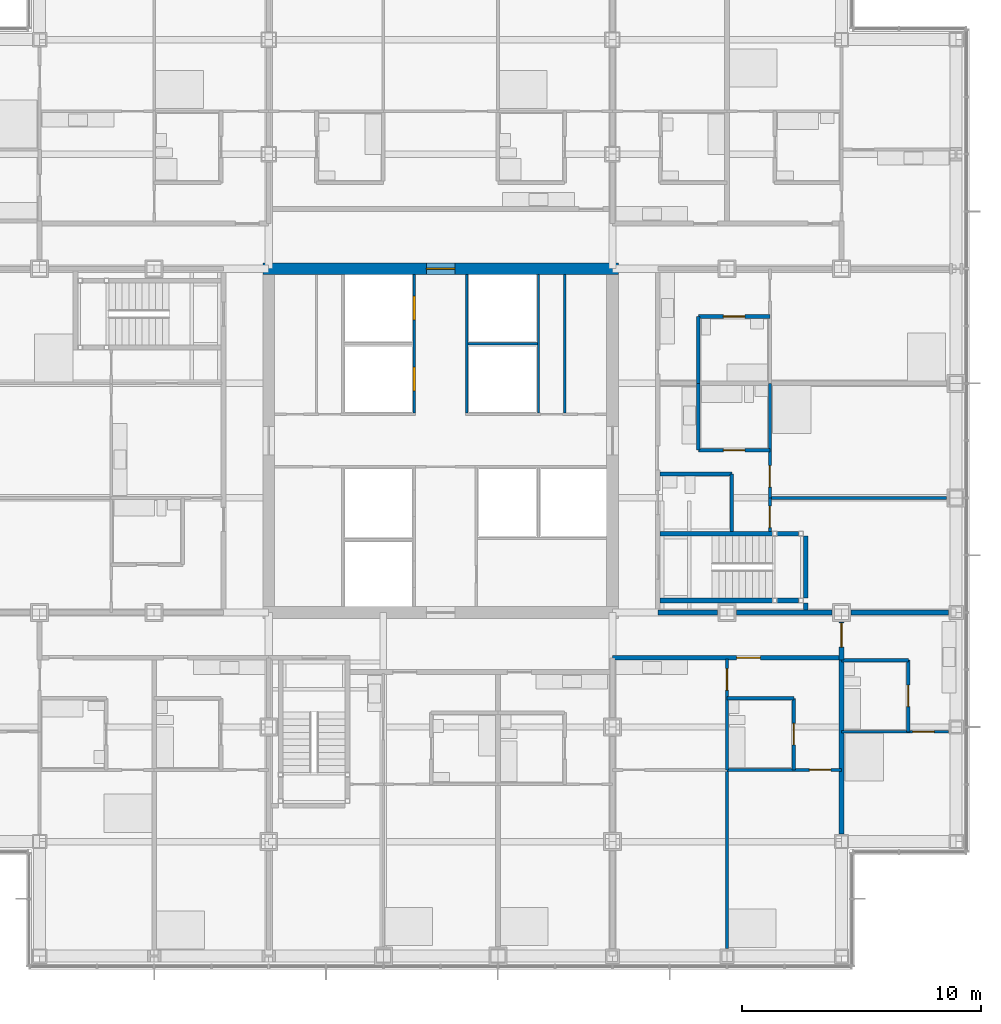
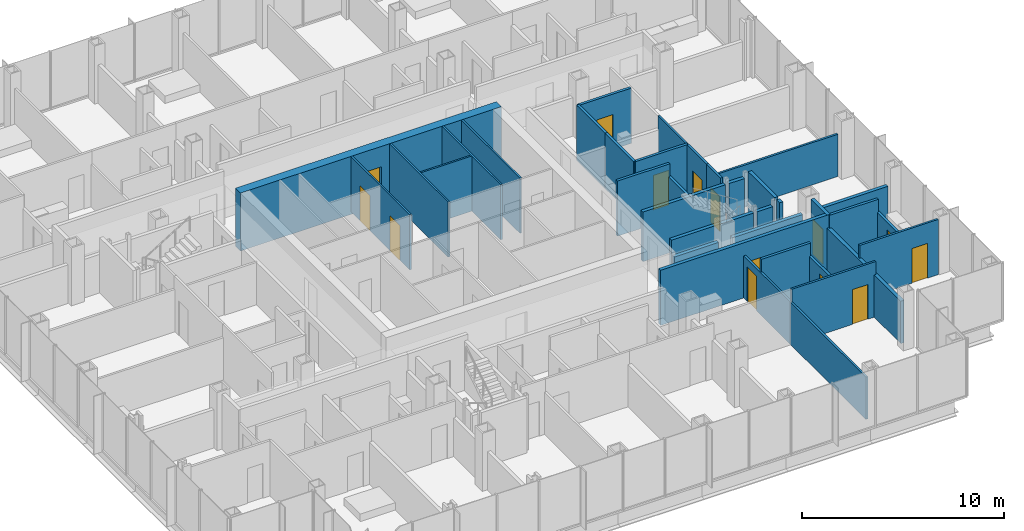
# One storey, part 16 of 21: 35 walls, 14 doors, 14 openings.
"""IFC4 building model written with IfcOpenShell, lengths in metres."""

from ifc_helpers import new_model, si_unit, direction, frame, frame_2d, origin, place, context, subcontext, project, spatial, rectangle, extrude, material, layer, layer_set, type_object, element, fill, save


model = new_model("IFC4")

# Units and contexts
model_context = context("Model", 3, precision=1e-05, world=origin(), true_north=direction((0.0, 1.0)))
body_context = subcontext(model_context, "Body", "Model", "MODEL_VIEW")
ifc_project = project(units=[si_unit("LENGTHUNIT", "METRE"), si_unit("AREAUNIT", "SQUARE_METRE"), si_unit("VOLUMEUNIT", "CUBIC_METRE"), si_unit("PLANEANGLEUNIT", "RADIAN"), si_unit("MASSUNIT", "GRAM", prefix="KILO")], contexts=[model_context])

# Site, building, storey
site_placement = place(None, origin())
site = spatial("IfcSite", under=ifc_project, at=site_placement, CompositionType="ELEMENT")
building_placement = place(site_placement, origin())
building = spatial("IfcBuilding", under=site, at=building_placement, Name="Kvirike Care Tower", CompositionType="ELEMENT")
storey_placement = place(building_placement, frame((0.0, 0.0, 44.5)))
storey = spatial("IfcBuildingStorey", under=building, at=storey_placement, Name="L11", CompositionType="ELEMENT", Elevation=44.5)

# Wall, opening, door
ifc_material_1 = material(Name="Moisture-resistant board partition", Category="gypsum")
ifc_layer_1 = layer(ifc_material_1, 0.14990234375)
ifc_layer_set_1 = layer_set([ifc_layer_1], Name="BATHROOM WALL 150")
wall_type_1 = type_object("IfcWallType", Name="BATHROOM WALL 150", PredefinedType="PARTITIONING", material=ifc_layer_set_1)
wall_1_placement = place(storey_placement, frame((36.39990234375, 22.199951171875, 0.0), z_axis=(0.0, 0.0, 1.0), x_axis=(0.0, 1.0, 0.0)))
wall_1 = element("IfcWall", 1, at=wall_1_placement, inside=storey, type_object=wall_type_1, Name="Bathroom Wall 150 L11", PredefinedType="PARTITIONING", context=body_context, shape_type="SweptSolid", body=[
    extrude(rectangle(XDim=3.0, YDim=0.14990234375, at=frame_2d((1.5, 0.0))), origin(), (0.0, 0.0, 1.0), 2.550048828125),
])
opening_1_placement = place(wall_1_placement, frame((1.050048828125, 0.0, 0.0)))
opening_1 = element("IfcOpeningElement", 2, at=opening_1_placement, cuts=wall_1, Name="Opening 11-039", PredefinedType="OPENING", context=body_context, shape_type="SweptSolid", body=[
    extrude(rectangle(XDim=0.89990234375, YDim=2.10009765625, at=frame_2d((0.449951171875, 1.050048828125))), frame((0.0, 0.08544921875, 0.0), z_axis=(0.0, -1.0, 0.0), x_axis=(1.0, 0.0, 0.0)), (0.0, 0.0, 1.0), 0.1708984375),
])
ifc_material_2 = material(Name="Timber door set", Category="wood")
door_type_1 = type_object("IfcDoorType", Name="BATHROOM DOOR 900", OperationType="SINGLE_SWING_RIGHT", PredefinedType="DOOR", material=ifc_material_2)
door_1_placement = place(opening_1_placement, origin())
door_1 = element("IfcDoor", 3, at=door_1_placement, inside=storey, type_object=door_type_1, Name="Bathroom door", OperationType="SINGLE_SWING_RIGHT", OverallHeight=2.10009765625, OverallWidth=0.89990234375, PredefinedType="DOOR", context=body_context, shape_type="SweptSolid", body=[
    extrude(rectangle(XDim=0.89990234375, YDim=2.10009765625, at=frame_2d((0.449951171875, 1.050048828125))), frame((0.0, 0.02197265625, 0.0), z_axis=(0.0, -1.0, 0.0), x_axis=(1.0, 0.0, 0.0)), (0.0, 0.0, 1.0), 0.0439453125),
])
fill(opening_1, door_1)

# Wall
wall_2_placement = place(storey_placement, frame((33.60009765625, 25.199951171875, 0.0), z_axis=(0.0, 0.0, 1.0), x_axis=(1.0, 0.0, 0.0)))
element("IfcWall", 4, at=wall_2_placement, inside=storey, type_object=wall_type_1, Name="Bathroom Wall 150 L11", PredefinedType="PARTITIONING", context=body_context, shape_type="SweptSolid", body=[
    extrude(rectangle(XDim=2.7998046875, YDim=0.14990234375, at=frame_2d((1.39990234375, 0.0))), origin(), (0.0, 0.0, 1.0), 3.330078125),
])

# Wall, opening, door
wall_3_placement = place(storey_placement, frame((41.199951171875, 23.800048828125, 0.0), z_axis=(0.0, 0.0, 1.0), x_axis=(0.0, 1.0, 0.0)))
wall_3 = element("IfcWall", 5, at=wall_3_placement, inside=storey, type_object=wall_type_1, Name="Bathroom Wall 150 L11", PredefinedType="PARTITIONING", context=body_context, shape_type="SweptSolid", body=[
    extrude(rectangle(XDim=3.0, YDim=0.14990234375, at=frame_2d((1.5, 0.0))), origin(), (0.0, 0.0, 1.0), 2.550048828125),
])
opening_2_placement = place(wall_3_placement, frame((1.050048828125, 0.0, 0.0)))
opening_2 = element("IfcOpeningElement", 6, at=opening_2_placement, cuts=wall_3, Name="Opening 11-043", PredefinedType="OPENING", context=body_context, shape_type="SweptSolid", body=[
    extrude(rectangle(XDim=0.89990234375, YDim=2.10009765625, at=frame_2d((0.449951171875, 1.050048828125))), frame((0.0, 0.08544921875, 0.0), z_axis=(0.0, -1.0, 0.0), x_axis=(1.0, 0.0, 0.0)), (0.0, 0.0, 1.0), 0.1708984375),
])
door_2_placement = place(opening_2_placement, origin())
door_2 = element("IfcDoor", 7, at=door_2_placement, inside=storey, type_object=door_type_1, Name="Bathroom door", OperationType="SINGLE_SWING_RIGHT", OverallHeight=2.10009765625, OverallWidth=0.89990234375, PredefinedType="DOOR", context=body_context, shape_type="SweptSolid", body=[
    extrude(rectangle(XDim=0.89990234375, YDim=2.10009765625, at=frame_2d((0.449951171875, 1.050048828125))), frame((0.0, 0.02197265625, 0.0), z_axis=(0.0, -1.0, 0.0), x_axis=(1.0, 0.0, 0.0)), (0.0, 0.0, 1.0), 0.0439453125),
])
fill(opening_2, door_2)

# Walls
wall_4_placement = place(storey_placement, frame((38.39990234375, 26.800048828125, 0.0), z_axis=(0.0, 0.0, 1.0), x_axis=(1.0, 0.0, 0.0)))
element("IfcWall", 8, at=wall_4_placement, inside=storey, type_object=wall_type_1, Name="Bathroom Wall 150 L11", PredefinedType="PARTITIONING", context=body_context, shape_type="SweptSolid", body=[
    extrude(rectangle(XDim=2.800048828125, YDim=0.14990234375, at=frame_2d((1.39990234375, 0.0))), origin(), (0.0, 0.0, 1.0), 3.330078125),
])
wall_5_placement = place(storey_placement, frame((33.800048828125, 32.199951171875, 0.0), z_axis=(0.0, 0.0, 1.0), x_axis=(0.0, 1.0, 0.0)))
element("IfcWall", 9, at=wall_5_placement, inside=storey, type_object=wall_type_1, Name="Bathroom Wall 150 L11", PredefinedType="PARTITIONING", context=body_context, shape_type="SweptSolid", body=[
    extrude(rectangle(XDim=2.400146484375, YDim=0.14990234375, at=frame_2d((1.2001953125, 0.0))), origin(), (0.0, 0.0, 1.0), 2.550048828125),
])
wall_6_placement = place(storey_placement, frame((33.800048828125, 34.60009765625, 0.0), z_axis=(0.0, 0.0, 1.0), x_axis=(-1.0, 0.0, 0.0)))
element("IfcWall", 10, at=wall_6_placement, inside=storey, type_object=wall_type_1, Name="Bathroom Wall 150 L11", PredefinedType="PARTITIONING", context=body_context, shape_type="SweptSolid", body=[
    extrude(rectangle(XDim=3.0, YDim=0.14990234375, at=frame_2d((1.5, 0.0))), origin(), (0.0, 0.0, 1.0), 3.330078125),
])

# Wall, opening, door
wall_7_placement = place(storey_placement, frame((35.39990234375, 35.60009765625, 0.0), z_axis=(0.0, 0.0, 1.0), x_axis=(-1.0, 0.0, 0.0)))
wall_7 = element("IfcWall", 11, at=wall_7_placement, inside=storey, type_object=wall_type_1, Name="Bathroom Wall 150 L11", PredefinedType="PARTITIONING", context=body_context, shape_type="SweptSolid", body=[
    extrude(rectangle(XDim=3.0, YDim=0.14990234375, at=frame_2d((1.5, 0.0))), origin(), (0.0, 0.0, 1.0), 3.330078125),
])
opening_3_placement = place(wall_7_placement, frame((1.050048828125, 0.0, 0.0)))
opening_3 = element("IfcOpeningElement", 12, at=opening_3_placement, cuts=wall_7, Name="Opening 11-047", PredefinedType="OPENING", context=body_context, shape_type="SweptSolid", body=[
    extrude(rectangle(XDim=0.89990234375, YDim=2.10009765625, at=frame_2d((0.449951171875, 1.050048828125))), frame((0.0, 0.08544921875, 0.0), z_axis=(0.0, -1.0, 0.0), x_axis=(1.0, 0.0, 0.0)), (0.0, 0.0, 1.0), 0.1708984375),
])
door_3_placement = place(opening_3_placement, frame((0.89990234375, 0.0, 0.0), z_axis=(0.0, 0.0, 1.0), x_axis=(-1.0, 0.0, 0.0)))
door_3 = element("IfcDoor", 13, at=door_3_placement, inside=storey, type_object=door_type_1, Name="Bathroom door", OperationType="SINGLE_SWING_LEFT", OverallHeight=2.10009765625, OverallWidth=0.89990234375, PredefinedType="DOOR", context=body_context, shape_type="SweptSolid", body=[
    extrude(rectangle(XDim=0.89990234375, YDim=2.10009765625, at=frame_2d((0.449951171875, 1.050048828125))), frame((0.0, 0.02197265625, 0.0), z_axis=(0.0, -1.0, 0.0), x_axis=(1.0, 0.0, 0.0)), (0.0, 0.0, 1.0), 0.0439453125),
])
fill(opening_3, door_3)

# Wall
wall_8_placement = place(storey_placement, frame((32.39990234375, 35.60009765625, 0.0), z_axis=(0.0, 0.0, 1.0), x_axis=(0.0, 1.0, 0.0)))
element("IfcWall", 14, at=wall_8_placement, inside=storey, type_object=wall_type_1, Name="Bathroom Wall 150 L11", PredefinedType="PARTITIONING", context=body_context, shape_type="SweptSolid", body=[
    extrude(rectangle(XDim=2.7998046875, YDim=0.14990234375, at=frame_2d((1.39990234375, 0.0))), origin(), (0.0, 0.0, 1.0), 3.330078125),
])

# Wall, opening, door
wall_9_placement = place(storey_placement, frame((35.39990234375, 41.199951171875, 0.0), z_axis=(0.0, 0.0, 1.0), x_axis=(-1.0, 0.0, 0.0)))
wall_9 = element("IfcWall", 15, at=wall_9_placement, inside=storey, type_object=wall_type_1, Name="Bathroom Wall 150 L11", PredefinedType="PARTITIONING", context=body_context, shape_type="SweptSolid", body=[
    extrude(rectangle(XDim=3.0, YDim=0.14990234375, at=frame_2d((1.5, 0.0))), origin(), (0.0, 0.0, 1.0), 3.330078125),
])
opening_4_placement = place(wall_9_placement, frame((1.050048828125, 0.0, 0.0)))
opening_4 = element("IfcOpeningElement", 16, at=opening_4_placement, cuts=wall_9, Name="Opening 11-050", PredefinedType="OPENING", context=body_context, shape_type="SweptSolid", body=[
    extrude(rectangle(XDim=0.89990234375, YDim=2.10009765625, at=frame_2d((0.449951171875, 1.050048828125))), frame((0.0, 0.08544921875, 0.0), z_axis=(0.0, -1.0, 0.0), x_axis=(1.0, 0.0, 0.0)), (0.0, 0.0, 1.0), 0.1708984375),
])
door_4_placement = place(opening_4_placement, origin())
door_4 = element("IfcDoor", 17, at=door_4_placement, inside=storey, type_object=door_type_1, Name="Bathroom door", OperationType="SINGLE_SWING_RIGHT", OverallHeight=2.10009765625, OverallWidth=0.89990234375, PredefinedType="DOOR", context=body_context, shape_type="SweptSolid", body=[
    extrude(rectangle(XDim=0.89990234375, YDim=2.10009765625, at=frame_2d((0.449951171875, 1.050048828125))), frame((0.0, 0.02197265625, 0.0), z_axis=(0.0, -1.0, 0.0), x_axis=(1.0, 0.0, 0.0)), (0.0, 0.0, 1.0), 0.0439453125),
])
fill(opening_4, door_4)

# Wall
wall_10_placement = place(storey_placement, frame((32.39990234375, 38.39990234375, 0.0), z_axis=(0.0, 0.0, 1.0), x_axis=(0.0, 1.0, 0.0)))
element("IfcWall", 18, at=wall_10_placement, inside=storey, type_object=wall_type_1, Name="Bathroom Wall 150 L11", PredefinedType="PARTITIONING", context=body_context, shape_type="SweptSolid", body=[
    extrude(rectangle(XDim=2.800048828125, YDim=0.14990234375, at=frame_2d((1.39990234375, 0.0))), origin(), (0.0, 0.0, 1.0), 3.330078125),
])

# Wall, opening, door
ifc_material_3 = material(Name="Concrete C60/75", Category="concrete")
ifc_layer_2 = layer(ifc_material_3, 0.5)
ifc_layer_set_2 = layer_set([ifc_layer_2], Name="CORE WALL 500 C60-75")
wall_type_2 = type_object("IfcWallType", Name="CORE WALL 500 C60-75", PredefinedType="SHEAR", material=ifc_layer_set_2)
wall_11_placement = place(storey_placement, frame((29.050048828125, 43.199951171875, -0.169921875), z_axis=(0.0, 0.0, 1.0), x_axis=(-1.0, 0.0, 0.0)))
wall_11 = element("IfcWall", 19, at=wall_11_placement, inside=storey, type_object=wall_type_2, Name="Core wall N L11", PredefinedType="SHEAR", context=body_context, shape_type="SweptSolid", body=[
    extrude(rectangle(XDim=14.900146484375, YDim=0.5, at=frame_2d((7.4501953125, 0.0))), origin(), (0.0, 0.0, 1.0), 3.5),
])
opening_5_placement = place(wall_11_placement, frame((6.85009765625, 0.0, 0.169921875)))
opening_5 = element("IfcOpeningElement", 20, at=opening_5_placement, cuts=wall_11, Name="Opening 11-078", PredefinedType="OPENING", context=body_context, shape_type="SweptSolid", body=[
    extrude(rectangle(XDim=1.199951171875, YDim=2.10009765625, at=frame_2d((0.60009765625, 1.050048828125))), frame((0.0, 0.260498046875, 0.0), z_axis=(0.0, -1.0, 0.0), x_axis=(1.0, 0.0, 0.0)), (0.0, 0.0, 1.0), 0.52099609375),
])
ifc_material_4 = material(Name="Timber door set", Category="wood")
door_type_2 = type_object("IfcDoorType", Name="CORE DOOR 1200", OperationType="SINGLE_SWING_LEFT", PredefinedType="DOOR", material=ifc_material_4)
door_5_placement = place(opening_5_placement, origin())
door_5 = element("IfcDoor", 21, at=door_5_placement, inside=storey, type_object=door_type_2, Name="Core door N L11", OperationType="SINGLE_SWING_LEFT", OverallHeight=2.10009765625, OverallWidth=1.199951171875, PredefinedType="DOOR", context=body_context, shape_type="SweptSolid", body=[
    extrude(rectangle(XDim=1.199951171875, YDim=2.10009765625, at=frame_2d((0.60009765625, 1.050048828125))), frame((0.0, 0.02685546875, 0.0), z_axis=(0.0, -1.0, 0.0), x_axis=(1.0, 0.0, 0.0)), (0.0, 0.0, 1.0), 0.053955078125),
])
fill(opening_5, door_5)

ifc_material_5 = material(Name="Plasterboard corridor wall", Category="gypsum")
ifc_layer_3 = layer(ifc_material_5, 0.199951171875)
ifc_layer_set_3 = layer_set([ifc_layer_3], Name="CORRIDOR WALL 200")
wall_type_3 = type_object("IfcWallType", Name="CORRIDOR WALL 200", PredefinedType="PARTITIONING", material=ifc_layer_set_3)
wall_12_placement = place(storey_placement, frame((28.800048828125, 26.89990234375, 0.0), z_axis=(0.0, 0.0, 1.0), x_axis=(1.0, 0.0, 0.0)))
wall_12 = element("IfcWall", 22, at=wall_12_placement, inside=storey, type_object=wall_type_3, Name="Corridor Wall 200 L11", PredefinedType="PARTITIONING", context=body_context, shape_type="SweptSolid", body=[
    extrude(rectangle(XDim=9.599853515625, YDim=0.199951171875, at=frame_2d((4.7998046875, 0.0))), origin(), (0.0, 0.0, 1.0), 3.330078125),
])
opening_6_placement = place(wall_12_placement, frame((5.199951171875, 0.0, 0.0)))
opening_6 = element("IfcOpeningElement", 23, at=opening_6_placement, cuts=wall_12, Name="Opening 11-045", PredefinedType="OPENING", context=body_context, shape_type="SweptSolid", body=[
    extrude(rectangle(XDim=1.0, YDim=2.10009765625, at=frame_2d((0.5, 1.050048828125))), frame((0.0, 0.110595703125, 0.0), z_axis=(0.0, -1.0, 0.0), x_axis=(1.0, 0.0, 0.0)), (0.0, 0.0, 1.0), 0.220947265625),
])
ifc_material_6 = material(Name="Timber door set", Category="wood")
door_type_3 = type_object("IfcDoorType", Name="FLAT ENTRANCE DOOR 1000", OperationType="SINGLE_SWING_LEFT", PredefinedType="DOOR", material=ifc_material_6)
door_6_placement = place(opening_6_placement, frame((1.0, 0.0, 0.0), z_axis=(0.0, 0.0, 1.0), x_axis=(-1.0, 0.0, 0.0)))
door_6 = element("IfcDoor", 24, at=door_6_placement, inside=storey, type_object=door_type_3, Name="One-bedroom apartment entrance", OperationType="SINGLE_SWING_LEFT", OverallHeight=2.10009765625, OverallWidth=1.0, PredefinedType="DOOR", context=body_context, shape_type="SweptSolid", body=[
    extrude(rectangle(XDim=1.0, YDim=2.10009765625, at=frame_2d((0.5, 1.050048828125))), frame((0.0, 0.02685546875, 0.0), z_axis=(0.0, -1.0, 0.0), x_axis=(1.0, 0.0, 0.0)), (0.0, 0.0, 1.0), 0.053955078125),
])
fill(opening_6, door_6)

wall_13_placement = place(storey_placement, frame((38.39990234375, 26.800048828125, 0.0), z_axis=(0.0, 0.0, 1.0), x_axis=(0.0, 1.0, 0.0)))
wall_13 = element("IfcWall", 25, at=wall_13_placement, inside=storey, type_object=wall_type_3, Name="Corridor Wall 200 L11", PredefinedType="PARTITIONING", context=body_context, shape_type="SweptSolid", body=[
    extrude(rectangle(XDim=1.60498046875, YDim=0.199951171875, at=frame_2d((0.802490234375, 0.0))), origin(), (0.0, 0.0, 1.0), 3.330078125),
])
opening_7_placement = place(wall_13_placement, frame((0.550048828125, 0.0, 0.0)))
opening_7 = element("IfcOpeningElement", 26, at=opening_7_placement, cuts=wall_13, Name="Opening 11-046", PredefinedType="OPENING", context=body_context, shape_type="SweptSolid", body=[
    extrude(rectangle(XDim=1.0, YDim=2.10009765625, at=frame_2d((0.5, 1.050048828125))), frame((0.0, 0.110595703125, 0.0), z_axis=(0.0, -1.0, 0.0), x_axis=(1.0, 0.0, 0.0)), (0.0, 0.0, 1.0), 0.220947265625),
])
door_7_placement = place(opening_7_placement, frame((1.0, 0.0, 0.0), z_axis=(0.0, 0.0, 1.0), x_axis=(-1.0, 0.0, 0.0)))
door_7 = element("IfcDoor", 27, at=door_7_placement, inside=storey, type_object=door_type_3, Name="Studio apartment entrance", OperationType="SINGLE_SWING_RIGHT", OverallHeight=2.10009765625, OverallWidth=1.0, PredefinedType="DOOR", context=body_context, shape_type="SweptSolid", body=[
    extrude(rectangle(XDim=1.0, YDim=2.10009765625, at=frame_2d((0.5, 1.050048828125))), frame((0.0, 0.02685546875, 0.0), z_axis=(0.0, -1.0, 0.0), x_axis=(1.0, 0.0, 0.0)), (0.0, 0.0, 1.0), 0.053955078125),
])
fill(opening_7, door_7)

ifc_material_7 = material(Name="Plasterboard partition", Category="gypsum")
ifc_layer_4 = layer(ifc_material_7, 0.1201171875)
ifc_layer_set_4 = layer_set([ifc_layer_4], Name="PARTITION 120")
wall_type_4 = type_object("IfcWallType", Name="PARTITION 120", PredefinedType="PARTITIONING", material=ifc_layer_set_4)
wall_14_placement = place(storey_placement, frame((33.60009765625, 22.199951171875, 0.0), z_axis=(0.0, 0.0, 1.0), x_axis=(0.0, 1.0, 0.0)))
wall_14 = element("IfcWall", 28, at=wall_14_placement, inside=storey, type_object=wall_type_4, Name="Partition 120 L11", PredefinedType="PARTITIONING", context=body_context, shape_type="SweptSolid", body=[
    extrude(rectangle(XDim=4.650146484375, YDim=0.1201171875, at=frame_2d((2.3251953125, 0.0))), origin(), (0.0, 0.0, 1.0), 2.550048828125),
])
opening_8_placement = place(wall_14_placement, frame((3.35009765625, 0.0, 0.0)))
opening_8 = element("IfcOpeningElement", 29, at=opening_8_placement, cuts=wall_14, Name="Opening 11-040", PredefinedType="OPENING", context=body_context, shape_type="SweptSolid", body=[
    extrude(rectangle(XDim=0.89990234375, YDim=2.10009765625, at=frame_2d((0.449951171875, 1.050048828125))), frame((0.0, 0.070556640625, 0.0), z_axis=(0.0, -1.0, 0.0), x_axis=(1.0, 0.0, 0.0)), (0.0, 0.0, 1.0), 0.14111328125),
])
ifc_material_8 = material(Name="Timber door set", Category="wood")
door_type_4 = type_object("IfcDoorType", Name="INTERNAL DOOR 900", OperationType="SINGLE_SWING_LEFT", PredefinedType="DOOR", material=ifc_material_8)
door_8_placement = place(opening_8_placement, origin())
door_8 = element("IfcDoor", 30, at=door_8_placement, inside=storey, type_object=door_type_4, Name="Hall door", OperationType="SINGLE_SWING_LEFT", OverallHeight=2.10009765625, OverallWidth=0.89990234375, PredefinedType="DOOR", context=body_context, shape_type="SweptSolid", body=[
    extrude(rectangle(XDim=0.89990234375, YDim=2.10009765625, at=frame_2d((0.449951171875, 1.050048828125))), frame((0.0, 0.02197265625, 0.0), z_axis=(0.0, -1.0, 0.0), x_axis=(1.0, 0.0, 0.0)), (0.0, 0.0, 1.0), 0.0439453125),
])
fill(opening_8, door_8)

wall_15_placement = place(storey_placement, frame((33.60009765625, 22.199951171875, 0.0), z_axis=(0.0, 0.0, 1.0), x_axis=(1.0, 0.0, 0.0)))
wall_15 = element("IfcWall", 31, at=wall_15_placement, inside=storey, type_object=wall_type_4, Name="Partition 120 L11", PredefinedType="PARTITIONING", context=body_context, shape_type="SweptSolid", body=[
    extrude(rectangle(XDim=4.7998046875, YDim=0.1201171875, at=frame_2d((2.39990234375, 0.0))), origin(), (0.0, 0.0, 1.0), 3.330078125),
])
opening_9_placement = place(wall_15_placement, frame((3.449951171875, 0.0, 0.0)))
opening_9 = element("IfcOpeningElement", 32, at=opening_9_placement, cuts=wall_15, Name="Opening 11-042", PredefinedType="OPENING", context=body_context, shape_type="SweptSolid", body=[
    extrude(rectangle(XDim=0.89990234375, YDim=2.10009765625, at=frame_2d((0.449951171875, 1.050048828125))), frame((0.0, 0.070556640625, 0.0), z_axis=(0.0, -1.0, 0.0), x_axis=(1.0, 0.0, 0.0)), (0.0, 0.0, 1.0), 0.14111328125),
])
door_9_placement = place(opening_9_placement, origin())
door_9 = element("IfcDoor", 33, at=door_9_placement, inside=storey, type_object=door_type_4, Name="Apartment bedroom door", OperationType="SINGLE_SWING_LEFT", OverallHeight=2.10009765625, OverallWidth=0.89990234375, PredefinedType="DOOR", context=body_context, shape_type="SweptSolid", body=[
    extrude(rectangle(XDim=0.89990234375, YDim=2.10009765625, at=frame_2d((0.449951171875, 1.050048828125))), frame((0.0, 0.02197265625, 0.0), z_axis=(0.0, -1.0, 0.0), x_axis=(1.0, 0.0, 0.0)), (0.0, 0.0, 1.0), 0.0439453125),
])
fill(opening_9, door_9)

# Wall
wall_16_placement = place(storey_placement, frame((33.60009765625, 14.719970703125, 0.0), z_axis=(0.0, 0.0, 1.0), x_axis=(0.0, 1.0, 0.0)))
element("IfcWall", 34, at=wall_16_placement, inside=storey, type_object=wall_type_4, Name="Partition 120 L11", PredefinedType="PARTITIONING", context=body_context, shape_type="SweptSolid", body=[
    extrude(rectangle(XDim=7.47998046875, YDim=0.1201171875, at=frame_2d((3.739990234375, 0.0))), origin(), (0.0, 0.0, 1.0), 2.550048828125),
])

# Wall, opening, door
wall_17_placement = place(storey_placement, frame((38.39990234375, 23.800048828125, 0.0), z_axis=(0.0, 0.0, 1.0), x_axis=(1.0, 0.0, 0.0)))
wall_17 = element("IfcWall", 35, at=wall_17_placement, inside=storey, type_object=wall_type_4, Name="Partition 120 L11", PredefinedType="PARTITIONING", context=body_context, shape_type="SweptSolid", body=[
    extrude(rectangle(XDim=4.47998046875, YDim=0.1201171875, at=frame_2d((2.239990234375, 0.0))), origin(), (0.0, 0.0, 1.0), 3.330078125),
])
opening_10_placement = place(wall_17_placement, frame((2.97509765625, 0.0, 0.0)))
opening_10 = element("IfcOpeningElement", 36, at=opening_10_placement, cuts=wall_17, Name="Opening 11-044", PredefinedType="OPENING", context=body_context, shape_type="SweptSolid", body=[
    extrude(rectangle(XDim=0.89990234375, YDim=2.10009765625, at=frame_2d((0.449951171875, 1.050048828125))), frame((0.0, 0.070556640625, 0.0), z_axis=(0.0, -1.0, 0.0), x_axis=(1.0, 0.0, 0.0)), (0.0, 0.0, 1.0), 0.14111328125),
])
door_10_placement = place(opening_10_placement, origin())
door_10 = element("IfcDoor", 37, at=door_10_placement, inside=storey, type_object=door_type_4, Name="Studio apartment living room door", OperationType="SINGLE_SWING_RIGHT", OverallHeight=2.10009765625, OverallWidth=0.89990234375, PredefinedType="DOOR", context=body_context, shape_type="SweptSolid", body=[
    extrude(rectangle(XDim=0.89990234375, YDim=2.10009765625, at=frame_2d((0.449951171875, 1.050048828125))), frame((0.0, 0.02197265625, 0.0), z_axis=(0.0, -1.0, 0.0), x_axis=(1.0, 0.0, 0.0)), (0.0, 0.0, 1.0), 0.0439453125),
])
fill(opening_10, door_10)

wall_18_placement = place(storey_placement, frame((35.39990234375, 32.199951171875, 0.0), z_axis=(0.0, 0.0, 1.0), x_axis=(0.0, 1.0, 0.0)))
wall_18 = element("IfcWall", 38, at=wall_18_placement, inside=storey, type_object=wall_type_4, Name="Partition 120 L11", PredefinedType="PARTITIONING", context=body_context, shape_type="SweptSolid", body=[
    extrude(rectangle(XDim=1.400146484375, YDim=0.1201171875, at=frame_2d((0.7001953125, 0.0))), origin(), (0.0, 0.0, 1.0), 3.330078125),
])
opening_11_placement = place(wall_18_placement, frame((0.14990234375, 0.0, 0.0)))
opening_11 = element("IfcOpeningElement", 39, at=opening_11_placement, cuts=wall_18, Name="Opening 11-048", PredefinedType="OPENING", context=body_context, shape_type="SweptSolid", body=[
    extrude(rectangle(XDim=0.89990234375, YDim=2.10009765625, at=frame_2d((0.449951171875, 1.050048828125))), frame((0.0, 0.070556640625, 0.0), z_axis=(0.0, -1.0, 0.0), x_axis=(1.0, 0.0, 0.0)), (0.0, 0.0, 1.0), 0.14111328125),
])
door_11_placement = place(opening_11_placement, origin())
door_11 = element("IfcDoor", 40, at=door_11_placement, inside=storey, type_object=door_type_4, Name="Apartment living room door", OperationType="SINGLE_SWING_RIGHT", OverallHeight=2.10009765625, OverallWidth=0.89990234375, PredefinedType="DOOR", context=body_context, shape_type="SweptSolid", body=[
    extrude(rectangle(XDim=0.89990234375, YDim=2.10009765625, at=frame_2d((0.449951171875, 1.050048828125))), frame((0.0, 0.02197265625, 0.0), z_axis=(0.0, -1.0, 0.0), x_axis=(1.0, 0.0, 0.0)), (0.0, 0.0, 1.0), 0.0439453125),
])
fill(opening_11, door_11)

wall_19_placement = place(storey_placement, frame((35.39990234375, 33.60009765625, 0.0), z_axis=(0.0, 0.0, 1.0), x_axis=(0.0, 1.0, 0.0)))
wall_19 = element("IfcWall", 41, at=wall_19_placement, inside=storey, type_object=wall_type_4, Name="Partition 120 L11", PredefinedType="PARTITIONING", context=body_context, shape_type="SweptSolid", body=[
    extrude(rectangle(XDim=4.7998046875, YDim=0.1201171875, at=frame_2d((2.39990234375, 0.0))), origin(), (0.0, 0.0, 1.0), 3.330078125),
])
opening_12_placement = place(wall_19_placement, frame((0.449951171875, 0.0, 0.0)))
opening_12 = element("IfcOpeningElement", 42, at=opening_12_placement, cuts=wall_19, Name="Opening 11-049", PredefinedType="OPENING", context=body_context, shape_type="SweptSolid", body=[
    extrude(rectangle(XDim=0.89990234375, YDim=2.10009765625, at=frame_2d((0.449951171875, 1.050048828125))), frame((0.0, 0.070556640625, 0.0), z_axis=(0.0, -1.0, 0.0), x_axis=(1.0, 0.0, 0.0)), (0.0, 0.0, 1.0), 0.14111328125),
])
door_12_placement = place(opening_12_placement, origin())
door_12 = element("IfcDoor", 43, at=door_12_placement, inside=storey, type_object=door_type_4, Name="Apartment bedroom door", OperationType="SINGLE_SWING_LEFT", OverallHeight=2.10009765625, OverallWidth=0.89990234375, PredefinedType="DOOR", context=body_context, shape_type="SweptSolid", body=[
    extrude(rectangle(XDim=0.89990234375, YDim=2.10009765625, at=frame_2d((0.449951171875, 1.050048828125))), frame((0.0, 0.02197265625, 0.0), z_axis=(0.0, -1.0, 0.0), x_axis=(1.0, 0.0, 0.0)), (0.0, 0.0, 1.0), 0.0439453125),
])
fill(opening_12, door_12)

# Walls
wall_20_placement = place(storey_placement, frame((42.804931640625, 33.60009765625, 0.0), z_axis=(0.0, 0.0, 1.0), x_axis=(-1.0, 0.0, 0.0)))
element("IfcWall", 44, at=wall_20_placement, inside=storey, type_object=wall_type_4, Name="Partition 120 L11", PredefinedType="PARTITIONING", context=body_context, shape_type="SweptSolid", body=[
    extrude(rectangle(XDim=7.405029296875, YDim=0.1201171875, at=frame_2d((3.70263671875, 0.0))), origin(), (0.0, 0.0, 1.0), 2.550048828125),
])
ifc_material_9 = material(Name="Plasterboard party wall", Category="gypsum")
ifc_layer_5 = layer(ifc_material_9, 0.199951171875)
ifc_layer_set_5 = layer_set([ifc_layer_5], Name="PARTY WALL 200")
wall_type_5 = type_object("IfcWallType", Name="PARTY WALL 200", PredefinedType="PARTITIONING", material=ifc_layer_set_5)
wall_21_placement = place(storey_placement, frame((38.39990234375, 19.52001953125, 0.0), z_axis=(0.0, 0.0, 1.0), x_axis=(0.0, 1.0, 0.0)))
element("IfcWall", 45, at=wall_21_placement, inside=storey, type_object=wall_type_5, Name="Party Wall 200 L11", PredefinedType="PARTITIONING", context=body_context, shape_type="SweptSolid", body=[
    extrude(rectangle(XDim=7.280029296875, YDim=0.199951171875, at=frame_2d((3.64013671875, 0.0))), origin(), (0.0, 0.0, 1.0), 2.550048828125),
])
wall_22_placement = place(storey_placement, frame((42.8798828125, 28.800048828125, 0.0), z_axis=(0.0, 0.0, 1.0), x_axis=(-1.0, 0.0, 0.0)))
element("IfcWall", 46, at=wall_22_placement, inside=storey, type_object=wall_type_5, Name="Party Wall 200 L11", PredefinedType="PARTITIONING", context=body_context, shape_type="SweptSolid", body=[
    extrude(rectangle(XDim=4.0849609375, YDim=0.199951171875, at=frame_2d((2.04248046875, 0.0))), origin(), (0.0, 0.0, 1.0), 2.320068359375),
])
wall_23_placement = place(storey_placement, frame((38.0048828125, 28.800048828125, 0.0), z_axis=(0.0, 0.0, 1.0), x_axis=(-1.0, 0.0, 0.0)))
element("IfcWall", 47, at=wall_23_placement, inside=storey, type_object=wall_type_5, Name="Party Wall 200 L11", PredefinedType="PARTITIONING", context=body_context, shape_type="SweptSolid", body=[
    extrude(rectangle(XDim=4.009765625, YDim=0.199951171875, at=frame_2d((2.0048828125, 0.0))), origin(), (0.0, 0.0, 1.0), 2.320068359375),
])
wall_24_placement = place(storey_placement, frame((33.205078125, 28.800048828125, 0.0), z_axis=(0.0, 0.0, 1.0), x_axis=(-1.0, 0.0, 0.0)))
element("IfcWall", 48, at=wall_24_placement, inside=storey, type_object=wall_type_5, Name="Party Wall 200 L11", PredefinedType="PARTITIONING", context=body_context, shape_type="SweptSolid", body=[
    extrude(rectangle(XDim=2.505126953125, YDim=0.199951171875, at=frame_2d((1.25244140625, 0.0))), origin(), (0.0, 0.0, 1.0), 2.320068359375),
])
ifc_material_10 = material(Name="Gypsum shaft wall system", Category="gypsum")
ifc_layer_6 = layer(ifc_material_10, 0.10009765625)
ifc_layer_set_6 = layer_set([ifc_layer_6], Name="SHAFT WALL 100")
wall_type_6 = type_object("IfcWallType", Name="SHAFT WALL 100", PredefinedType="SOLIDWALL", material=ifc_layer_set_6)
wall_25_placement = place(storey_placement, frame((26.800048828125, 37.14990234375, 0.0), z_axis=(0.0, 0.0, 1.0), x_axis=(0.0, 1.0, 0.0)))
element("IfcWall", 49, at=wall_25_placement, inside=storey, type_object=wall_type_6, Name="Shaft Wall 100 L11", PredefinedType="SOLIDWALL", context=body_context, shape_type="SweptSolid", body=[
    extrude(rectangle(XDim=5.800048828125, YDim=0.10009765625, at=frame_2d((2.89990234375, 0.0))), origin(), (0.0, 0.0, 1.0), 3.330078125),
])

# Wall, openings, doors
wall_26_placement = place(storey_placement, frame((20.5, 37.14990234375, 0.0), z_axis=(0.0, 0.0, 1.0), x_axis=(0.0, 1.0, 0.0)))
wall_26 = element("IfcWall", 50, at=wall_26_placement, inside=storey, type_object=wall_type_6, Name="Shaft Wall 100 L11", PredefinedType="SOLIDWALL", context=body_context, shape_type="SweptSolid", body=[
    extrude(rectangle(XDim=5.800048828125, YDim=0.10009765625, at=frame_2d((2.89990234375, 0.0))), origin(), (0.0, 0.0, 1.0), 3.330078125),
])
opening_13_placement = place(wall_26_placement, frame((0.925048828125, 0.0, 0.0)))
opening_13 = element("IfcOpeningElement", 51, at=opening_13_placement, cuts=wall_26, Name="Opening 11-066", PredefinedType="OPENING", context=body_context, shape_type="SweptSolid", body=[
    extrude(rectangle(XDim=1.0, YDim=2.10009765625, at=frame_2d((0.5, 1.050048828125))), frame((0.0, 0.060546875, 0.0), z_axis=(0.0, -1.0, 0.0), x_axis=(1.0, 0.0, 0.0)), (0.0, 0.0, 1.0), 0.12109375),
])
opening_14_placement = place(wall_26_placement, frame((3.89990234375, 0.0, 0.0)))
opening_14 = element("IfcOpeningElement", 52, at=opening_14_placement, cuts=wall_26, Name="Opening 11-067", PredefinedType="OPENING", context=body_context, shape_type="SweptSolid", body=[
    extrude(rectangle(XDim=1.0, YDim=2.10009765625, at=frame_2d((0.5, 1.050048828125))), frame((0.0, 0.060546875, 0.0), z_axis=(0.0, -1.0, 0.0), x_axis=(1.0, 0.0, 0.0)), (0.0, 0.0, 1.0), 0.12109375),
])
ifc_material_11 = material(Name="Aluminium door frame", Category="aluminium")
door_type_5 = type_object("IfcDoorType", Name="LIFT LANDING DOOR 1000", OperationType="SLIDING_TO_LEFT", PredefinedType="DOOR", material=ifc_material_11)
door_13_placement = place(opening_13_placement, origin())
door_13 = element("IfcDoor", 53, at=door_13_placement, inside=storey, type_object=door_type_5, Name="Lift P1 landing door", OperationType="SLIDING_TO_LEFT", OverallHeight=2.10009765625, OverallWidth=1.0, PredefinedType="DOOR", context=body_context, shape_type="SweptSolid", body=[
    extrude(rectangle(XDim=1.0, YDim=2.10009765625, at=frame_2d((0.5, 1.050048828125))), frame((0.0, 0.0498046875, 0.0), z_axis=(0.0, -1.0, 0.0), x_axis=(1.0, 0.0, 0.0)), (0.0, 0.0, 1.0), 0.099609375),
])
fill(opening_13, door_13)
door_14_placement = place(opening_14_placement, origin())
door_14 = element("IfcDoor", 54, at=door_14_placement, inside=storey, type_object=door_type_5, Name="Lift P2 landing door", OperationType="SLIDING_TO_LEFT", OverallHeight=2.10009765625, OverallWidth=1.0, PredefinedType="DOOR", context=body_context, shape_type="SweptSolid", body=[
    extrude(rectangle(XDim=1.0, YDim=2.10009765625, at=frame_2d((0.5, 1.050048828125))), frame((0.0, 0.0498046875, 0.0), z_axis=(0.0, -1.0, 0.0), x_axis=(1.0, 0.0, 0.0)), (0.0, 0.0, 1.0), 0.099609375),
])
fill(opening_14, door_14)

# Walls
wall_27_placement = place(storey_placement, frame((22.699951171875, 37.14990234375, 0.0), z_axis=(0.0, 0.0, 1.0), x_axis=(0.0, 1.0, 0.0)))
element("IfcWall", 55, at=wall_27_placement, inside=storey, type_object=wall_type_6, Name="Shaft Wall 100 L11", PredefinedType="SOLIDWALL", context=body_context, shape_type="SweptSolid", body=[
    extrude(rectangle(XDim=5.800048828125, YDim=0.10009765625, at=frame_2d((2.89990234375, 0.0))), origin(), (0.0, 0.0, 1.0), 3.330078125),
])
wall_28_placement = place(storey_placement, frame((22.75, 40.050048828125, 0.0), z_axis=(0.0, 0.0, 1.0), x_axis=(1.0, 0.0, 0.0)))
element("IfcWall", 56, at=wall_28_placement, inside=storey, type_object=wall_type_6, Name="Shaft Wall 100 L11", PredefinedType="SOLIDWALL", context=body_context, shape_type="SweptSolid", body=[
    extrude(rectangle(XDim=2.89990234375, YDim=0.10009765625, at=frame_2d((1.449951171875, 0.0))), origin(), (0.0, 0.0, 1.0), 3.330078125),
])
wall_29_placement = place(storey_placement, frame((25.699951171875, 37.14990234375, 0.0), z_axis=(0.0, 0.0, 1.0), x_axis=(0.0, 1.0, 0.0)))
element("IfcWall", 57, at=wall_29_placement, inside=storey, type_object=wall_type_6, Name="Shaft Wall 100 L11", PredefinedType="SOLIDWALL", context=body_context, shape_type="SweptSolid", body=[
    extrude(rectangle(XDim=5.800048828125, YDim=0.10009765625, at=frame_2d((2.89990234375, 0.0))), origin(), (0.0, 0.0, 1.0), 3.330078125),
])
ifc_material_12 = material(Name="Concrete C40/50", Category="concrete")
ifc_layer_7 = layer(ifc_material_12, 0.199951171875)
ifc_layer_set_7 = layer_set([ifc_layer_7], Name="STAIR WALL 200")
wall_type_7 = type_object("IfcWallType", Name="STAIR WALL 200", PredefinedType="SOLIDWALL", material=ifc_layer_set_7)
wall_30_placement = place(storey_placement, frame((36.60009765625, 29.300048828125, 0.0), z_axis=(0.0, 0.0, 1.0), x_axis=(-1.0, 0.0, 0.0)))
element("IfcWall", 58, at=wall_30_placement, inside=storey, type_object=wall_type_7, Name="Stair Wall 200 L11", PredefinedType="SOLIDWALL", context=body_context, shape_type="SweptSolid", body=[
    extrude(rectangle(XDim=0.900146484375, YDim=0.199951171875, at=frame_2d((0.4501953125, 0.0))), origin(), (0.0, 0.0, 1.0), 2.989990234375),
])
wall_31_placement = place(storey_placement, frame((35.5, 29.300048828125, 0.0), z_axis=(0.0, 0.0, 1.0), x_axis=(-1.0, 0.0, 0.0)))
element("IfcWall", 59, at=wall_31_placement, inside=storey, type_object=wall_type_7, Name="Stair Wall 200 L11", PredefinedType="SOLIDWALL", context=body_context, shape_type="SweptSolid", body=[
    extrude(rectangle(XDim=4.699951171875, YDim=0.199951171875, at=frame_2d((2.35009765625, 0.0))), origin(), (0.0, 0.0, 1.0), 2.989990234375),
])
wall_32_placement = place(storey_placement, frame((36.60009765625, 32.10009765625, 0.0), z_axis=(0.0, 0.0, 1.0), x_axis=(-1.0, 0.0, 0.0)))
element("IfcWall", 60, at=wall_32_placement, inside=storey, type_object=wall_type_7, Name="Stair Wall 200 L11", PredefinedType="SOLIDWALL", context=body_context, shape_type="SweptSolid", body=[
    extrude(rectangle(XDim=0.900146484375, YDim=0.199951171875, at=frame_2d((0.4501953125, 0.0))), origin(), (0.0, 0.0, 1.0), 2.989990234375),
])
wall_33_placement = place(storey_placement, frame((35.5, 32.10009765625, 0.0), z_axis=(0.0, 0.0, 1.0), x_axis=(-1.0, 0.0, 0.0)))
element("IfcWall", 61, at=wall_33_placement, inside=storey, type_object=wall_type_7, Name="Stair Wall 200 L11", PredefinedType="SOLIDWALL", context=body_context, shape_type="SweptSolid", body=[
    extrude(rectangle(XDim=4.699951171875, YDim=0.199951171875, at=frame_2d((2.35009765625, 0.0))), origin(), (0.0, 0.0, 1.0), 2.989990234375),
])
wall_34_placement = place(storey_placement, frame((36.89990234375, 28.89990234375, 0.0), z_axis=(0.0, 0.0, 1.0), x_axis=(0.0, 1.0, 0.0)))
element("IfcWall", 62, at=wall_34_placement, inside=storey, type_object=wall_type_7, Name="Stair Wall 200 L11", PredefinedType="SOLIDWALL", context=body_context, shape_type="SweptSolid", body=[
    extrude(rectangle(XDim=0.300048828125, YDim=0.199951171875, at=frame_2d((0.14990234375, 0.0))), origin(), (0.0, 0.0, 1.0), 3.330078125),
])
wall_35_placement = place(storey_placement, frame((36.89990234375, 29.39990234375, 0.0), z_axis=(0.0, 0.0, 1.0), x_axis=(0.0, 1.0, 0.0)))
element("IfcWall", 63, at=wall_35_placement, inside=storey, type_object=wall_type_7, Name="Stair Wall 200 L11", PredefinedType="SOLIDWALL", context=body_context, shape_type="SweptSolid", body=[
    extrude(rectangle(XDim=2.60009765625, YDim=0.199951171875, at=frame_2d((1.300048828125, 0.0))), origin(), (0.0, 0.0, 1.0), 3.330078125),
])

save(model, "model.ifc")
